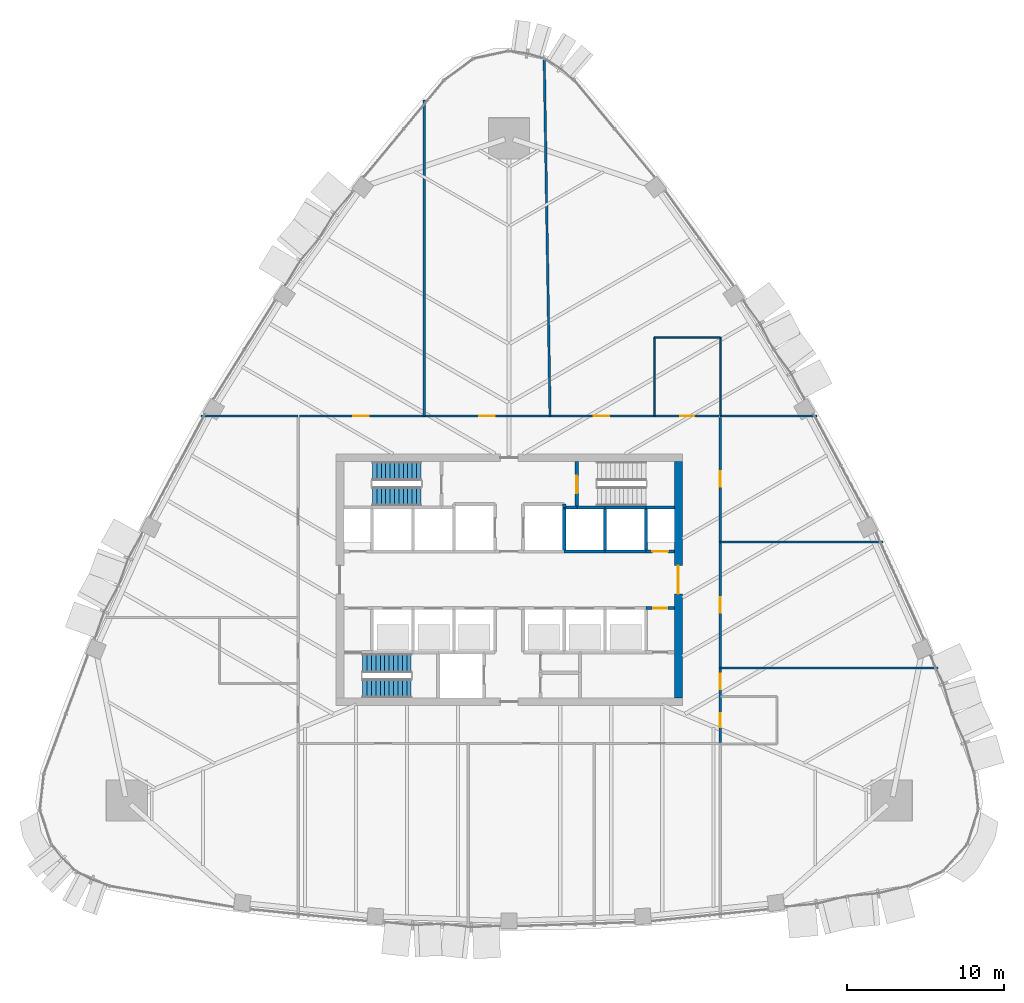
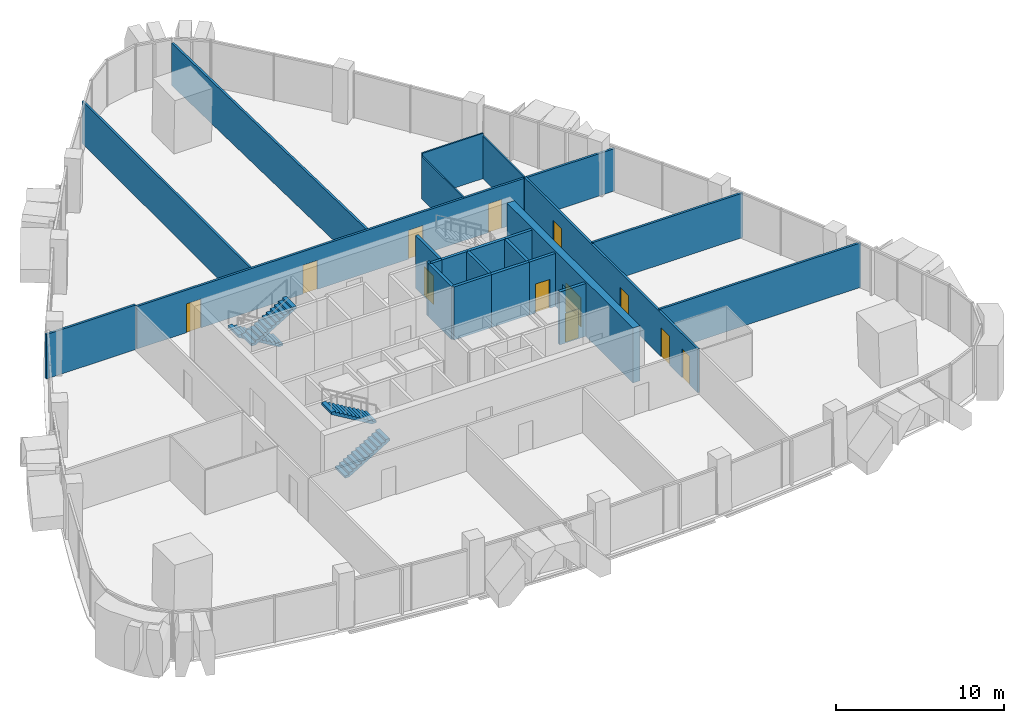
# One storey, part 12 of 17: 25 walls, 12 doors, 4 stair flights, 12 openings, 2 elements without a shape of their own.
"""IFC4 building model written with IfcOpenShell, lengths in metres."""

import ifcopenshell
import ifcopenshell.guid

model = None  # the IFC model being written
_history = None  # IfcOwnerHistory: only IFC2X3 demands one
_inside = {}  # id of a spatial element -> (the spatial element, [elements in it])
_under = {}  # id of a project, library or spatial element -> (it, [spatial elements below it])
_declared = {}  # id of a project -> (the project, [libraries it declares])
_typed = {}  # id of a type object -> (the type object, [elements of that type])
_made_of = {}  # id of a material, layer set ... -> (it, [elements and type objects made of it])


def new_model(schema):
    """Start an empty IFC model of exactly this schema.

    Asked for "IFC4X3", IfcOpenShell would pick the latest addendum, in which some entities
    have other attributes; the version numbers below select the first issue.
    IFC2X3 requires an IfcOwnerHistory on every rooted entity: one is made here for all.
    """
    global model, _history
    if schema == "IFC4X3":
        model = ifcopenshell.file(schema_version=(4, 3, 0, 0))
    else:
        model = ifcopenshell.file(schema=schema)
    _inside.clear()
    _under.clear()
    _declared.clear()
    _typed.clear()
    _made_of.clear()
    _history = None
    if model.schema == "IFC2X3":
        org = make("IfcOrganization", Name="unknown")
        user = make(
            "IfcPersonAndOrganization",
            ThePerson=make("IfcPerson", FamilyName="unknown"),
            TheOrganization=org,
        )
        app = make(
            "IfcApplication",
            ApplicationDeveloper=org,
            Version="unknown",
            ApplicationFullName="unknown",
            ApplicationIdentifier="unknown",
        )
        _history = make(
            "IfcOwnerHistory",
            OwningUser=user,
            OwningApplication=app,
            ChangeAction="ADDED",
            CreationDate=0,
        )
    return model


def make(cls, **values):
    """One entity of the class cls with the attributes given. An attribute that is None is left unset."""
    return model.create_entity(
        cls, **{name: value for name, value in values.items() if value is not None}
    )


def rooted(cls, **values):
    """An entity with a GlobalId (a new one), such as an element, a storey or a relation."""
    return make(cls, GlobalId=ifcopenshell.guid.new(), OwnerHistory=_history, **values)


def si_unit(unit_type, name, prefix=None):
    """IfcSIUnit, for example si_unit("LENGTHUNIT", "METRE", prefix="MILLI")."""
    return make("IfcSIUnit", UnitType=unit_type, Prefix=prefix, Name=name)


def assignment(units):
    """IfcUnitAssignment: the units of a project."""
    return None if units is None else make("IfcUnitAssignment", Units=units)


def point(xyz):
    """IfcCartesianPoint."""
    return None if xyz is None else make("IfcCartesianPoint", Coordinates=xyz)


def direction(xyz):
    """IfcDirection."""
    return None if xyz is None else make("IfcDirection", DirectionRatios=xyz)


def frame(location, z_axis=None, x_axis=None):
    """IfcAxis2Placement3D, a coordinate frame: its origin and axes. An axis left out is left unset."""
    return make(
        "IfcAxis2Placement3D",
        Location=point(location),
        Axis=direction(z_axis),
        RefDirection=direction(x_axis),
    )


def frame_2d(location, x_axis=None):
    """IfcAxis2Placement2D, a coordinate frame in the plane: its origin and x axis."""
    return make(
        "IfcAxis2Placement2D", Location=point(location), RefDirection=direction(x_axis)
    )


def origin():
    """The frame at (0, 0, 0) with its axes left unset."""
    return frame((0.0, 0.0, 0.0))


def place(relative_to, where):
    """IfcLocalPlacement: puts the frame where relative to a parent placement (None: the world)."""
    return make(
        "IfcLocalPlacement", PlacementRelTo=relative_to, RelativePlacement=where
    )


def context(
    kind, dimensions, precision=None, world=None, true_north=None, identifier=None
):
    """IfcGeometricRepresentationContext, for example the 3D "Model" context."""
    return make(
        "IfcGeometricRepresentationContext",
        ContextIdentifier=identifier,
        ContextType=kind,
        CoordinateSpaceDimension=dimensions,
        Precision=precision,
        WorldCoordinateSystem=world,
        TrueNorth=true_north,
    )


def subcontext(parent, identifier, kind, view, scale=None):
    """IfcGeometricRepresentationSubContext, for example "Body" below "Model"."""
    return make(
        "IfcGeometricRepresentationSubContext",
        ContextIdentifier=identifier,
        ContextType=kind,
        ParentContext=parent,
        TargetScale=scale,
        TargetView=view,
    )


def project(units=None, contexts=None):
    """IfcProject with its units and contexts."""
    return rooted(
        "IfcProject",
        Name="project",
        RepresentationContexts=contexts,
        UnitsInContext=assignment(units),
    )


def spatial(cls, under=None, at=None, **own):
    """A site, building, storey or space (cls), placed at a placement, below another one or the project."""
    s = rooted(cls, ObjectPlacement=at, **own)
    if under is not None:
        _under.setdefault(under.id(), (under, []))[1].append(s)
    return s


def polyline(points):
    """IfcPolyline through the points."""
    return make("IfcPolyline", Points=[point(p) for p in points])


def profile(cls, at=None, kind="AREA", **sizes):
    """A parametric profile (cls). Its sizes go by their IFC names, for example OverallWidth=200.0."""
    return make(cls, ProfileType=kind, Position=at, **sizes)


def rectangle(**sizes):
    """IfcRectangleProfileDef."""
    return profile("IfcRectangleProfileDef", **sizes)


def outline(outer, holes=None, kind="AREA"):
    """IfcArbitraryClosedProfileDef: a profile drawn as a closed curve; with holes, ...WithVoids."""
    if holes is None:
        return make("IfcArbitraryClosedProfileDef", ProfileType=kind, OuterCurve=outer)
    return make(
        "IfcArbitraryProfileDefWithVoids",
        ProfileType=kind,
        OuterCurve=outer,
        InnerCurves=holes,
    )


def extrude(swept, where, along, depth):
    """IfcExtrudedAreaSolid: the profile swept, set in the frame where, extruded along a direction by depth."""
    return make(
        "IfcExtrudedAreaSolid",
        SweptArea=swept,
        Position=where,
        ExtrudedDirection=direction(along),
        Depth=depth,
    )


def shape(context_of_items, identifier, shape_type, items):
    """IfcShapeRepresentation: the items that make up one representation, for example the "Body"."""
    return make(
        "IfcShapeRepresentation",
        ContextOfItems=context_of_items,
        RepresentationIdentifier=identifier,
        RepresentationType=shape_type,
        Items=items,
    )


def material(Name=None, Category=None):
    """IfcMaterial."""
    return make("IfcMaterial", Name=Name, Category=Category)


def layer(
    of_material, thickness, ventilated=None, Name=None, Category=None, Priority=None
):
    """IfcMaterialLayer: one layer of a wall or slab, of a material (None: an air gap)."""
    return make(
        "IfcMaterialLayer",
        Material=of_material,
        LayerThickness=thickness,
        IsVentilated=ventilated,
        Name=Name,
        Category=Category,
        Priority=Priority,
    )


def layer_set(layers, Name=None):
    """IfcMaterialLayerSet."""
    return make("IfcMaterialLayerSet", MaterialLayers=layers, LayerSetName=Name)


def made_of(thing, what):
    """Note that an element or type object is made of a material, layer set ...; save() writes the relation."""
    if what is not None:
        _made_of.setdefault(what.id(), (what, []))[1].append(thing)
    return thing


def type_object(cls, material=None, **own):
    """A type object (cls), such as IfcWallType, which elements share."""
    return made_of(rooted(cls, **own), material)


def element(
    cls,
    number,
    at=None,
    inside=None,
    cuts=None,
    type_object=None,
    material=None,
    context=None,
    identifier="Body",
    shape_type=None,
    held_by="IfcProductDefinitionShape",
    body=None,
    shapes=None,
    **own,
):
    """One element of the class cls, such as IfcWall. Its Tag is "e" and its number.

    at: its placement. inside: the storey or other place that contains it. cuts: it is an
    opening in that element (IfcRelVoidsElement). A single representation is given by context,
    identifier, shape_type and body (its items); several are given by shapes. held_by: the class
    of the entity that holds the representations. save() writes the other relations.
    """
    e = rooted(cls, Tag="e%d" % number, ObjectPlacement=at, **own)
    if body is not None:
        shapes = [shape(context, identifier, shape_type, body)]
    if shapes is not None:
        e.Representation = make(held_by, Representations=shapes)
    if inside is not None:
        _inside.setdefault(inside.id(), (inside, []))[1].append(e)
    if cuts is not None:
        rooted(
            "IfcRelVoidsElement", RelatingBuildingElement=cuts, RelatedOpeningElement=e
        )
    if type_object is not None:
        _typed.setdefault(type_object.id(), (type_object, []))[1].append(e)
    return made_of(e, material)


def fill(opening, filler):
    """IfcRelFillsElement: the door or window that sits in an opening."""
    return rooted(
        "IfcRelFillsElement",
        RelatingOpeningElement=opening,
        RelatedBuildingElement=filler,
    )


def aggregate(whole, parts):
    """IfcRelAggregates: a whole, such as a stair, and the parts it consists of."""
    return rooted("IfcRelAggregates", RelatingObject=whole, RelatedObjects=parts)


def save(model, path):
    """Write the relations noted so far, then the file.

    IfcRelAggregates (storeys below a building ...), IfcRelContainedInSpatialStructure (elements
    in a storey), IfcRelDefinesByType, IfcRelAssociatesMaterial and IfcRelDeclares: one each for
    every whole, place, type object, material and project.
    """
    for whole, parts in _under.values():
        aggregate(whole, parts)
    for where, things in _inside.values():
        rooted(
            "IfcRelContainedInSpatialStructure",
            RelatedElements=things,
            RelatingStructure=where,
        )
    for kind, things in _typed.values():
        rooted("IfcRelDefinesByType", RelatedObjects=things, RelatingType=kind)
    for what, things in _made_of.values():
        rooted("IfcRelAssociatesMaterial", RelatedObjects=things, RelatingMaterial=what)
    for by, libraries in _declared.values():
        rooted("IfcRelDeclares", RelatingContext=by, RelatedDefinitions=libraries)
    model.write(path)


model = new_model("IFC4")

# Units and contexts
model_context = context("Model", 3, precision=1e-05, world=origin(), true_north=direction((0.0, 1.0)))
body_context = subcontext(model_context, "Body", "Model", "MODEL_VIEW")
ifc_project = project(units=[si_unit("LENGTHUNIT", "METRE"), si_unit("AREAUNIT", "SQUARE_METRE"), si_unit("VOLUMEUNIT", "CUBIC_METRE"), si_unit("PLANEANGLEUNIT", "RADIAN"), si_unit("MASSUNIT", "GRAM", prefix="KILO")], contexts=[model_context])

# Site, building, storey
site_placement = place(None, origin())
site = spatial("IfcSite", under=ifc_project, at=site_placement, CompositionType="ELEMENT")
building_placement = place(site_placement, origin())
building = spatial("IfcBuilding", under=site, at=building_placement, Name="Sierra Prisma Convention Tower", CompositionType="ELEMENT")
storey_placement = place(building_placement, frame((0.0, 0.0, 153.800048828125)))
storey = spatial("IfcBuildingStorey", under=building, at=storey_placement, Name="L33", CompositionType="ELEMENT", Elevation=153.800048828125)

# Walls
ifc_material_1 = material(Name="Gypsum board partition", Category="gypsum")
ifc_layer_1 = layer(ifc_material_1, 0.10009765625)
ifc_layer_set_1 = layer_set([ifc_layer_1], Name="Bathroom partition 100")
wall_type_1 = type_object("IfcWallType", Name="Bathroom partition 100", PredefinedType="PARTITIONING", material=ifc_layer_set_1)
wall_1_placement = place(storey_placement, frame((9.219970703125, 10.429931640625, 0.0), z_axis=(0.0, 0.0, 1.0), x_axis=(0.0, 1.0, 0.0)))
element("IfcWall", 1, at=wall_1_placement, inside=storey, type_object=wall_type_1, Name="Partition L33 bath 3", PredefinedType="PARTITIONING", context=body_context, shape_type="SweptSolid", body=[
    extrude(rectangle(XDim=4.969970703125, YDim=0.10009765625, at=frame_2d((2.48486328125, 0.0))), origin(), (0.0, 0.0, 1.0), 3.096923828125),
])
wall_2_placement = place(storey_placement, frame((9.219970703125, 15.39990234375, 0.0), z_axis=(0.0, 0.0, 1.0), x_axis=(1.0, 0.0, 0.0)))
element("IfcWall", 2, at=wall_2_placement, inside=storey, type_object=wall_type_1, Name="Partition L33 bath 4", PredefinedType="PARTITIONING", context=body_context, shape_type="SweptSolid", body=[
    extrude(rectangle(XDim=4.199951171875, YDim=0.10009765625, at=frame_2d((2.10009765625, 0.0))), origin(), (0.0, 0.0, 1.0), 3.300048828125),
])
wall_3_placement = place(storey_placement, frame((13.419921875, 15.39990234375, 0.0), z_axis=(0.0, 0.0, 1.0), x_axis=(0.0, -1.0, 0.0)))
element("IfcWall", 3, at=wall_3_placement, inside=storey, type_object=wall_type_1, Name="Partition L33 bath 5", PredefinedType="PARTITIONING", context=body_context, shape_type="SweptSolid", body=[
    extrude(rectangle(XDim=4.969970703125, YDim=0.10009765625, at=frame_2d((2.48486328125, 0.0))), origin(), (0.0, 0.0, 1.0), 3.096923828125),
])
ifc_material_2 = material(Name="Concrete C30/37", Category="concrete")
ifc_layer_2 = layer(ifc_material_2, 0.199951171875)
ifc_layer_set_2 = layer_set([ifc_layer_2], Name="Core wall RC 200 C30/37")
wall_type_2 = type_object("IfcWallType", Name="Core wall RC 200 C30/37", PredefinedType="SOLIDWALL", material=ifc_layer_set_2)
wall_4_placement = place(storey_placement, frame((3.5, 4.60009765625, 0.0), z_axis=(0.0, 0.0, 1.0), x_axis=(0.0, 1.0, 0.0)))
element("IfcWall", 4, at=wall_4_placement, inside=storey, type_object=wall_type_2, Name="Core wall L33 38", PredefinedType="SOLIDWALL", context=body_context, shape_type="SweptSolid", body=[
    extrude(rectangle(XDim=0.199951171875, YDim=0.199951171875, at=frame_2d((0.10009765625, 0.0))), origin(), (0.0, 0.0, 1.0), 3.849853515625),
])
wall_5_placement = place(storey_placement, frame((6.10009765625, 1.800048828125, 0.0), z_axis=(0.0, 0.0, 1.0), x_axis=(-1.0, 0.0, 0.0)))
element("IfcWall", 5, at=wall_5_placement, inside=storey, type_object=wall_type_2, Name="Core wall L33 48", PredefinedType="SOLIDWALL", context=body_context, shape_type="SweptSolid", body=[
    extrude(rectangle(XDim=2.60009765625, YDim=0.199951171875, at=frame_2d((1.300048828125, 0.0))), origin(), (0.0, 0.0, 1.0), 3.849853515625),
])
wall_6_placement = place(storey_placement, frame((3.5, 1.800048828125, 0.0), z_axis=(0.0, 0.0, 1.0), x_axis=(0.0, 1.0, 0.0)))
element("IfcWall", 6, at=wall_6_placement, inside=storey, type_object=wall_type_2, Name="Core wall L33 49", PredefinedType="SOLIDWALL", context=body_context, shape_type="SweptSolid", body=[
    extrude(rectangle(XDim=2.800048828125, YDim=0.199951171875, at=frame_2d((1.39990234375, 0.0))), origin(), (0.0, 0.0, 1.0), 3.849853515625),
])
wall_7_placement = place(storey_placement, frame((4.300048828125, 4.60009765625, 0.0), z_axis=(0.0, 0.0, 1.0), x_axis=(-1.0, 0.0, 0.0)))
element("IfcWall", 7, at=wall_7_placement, inside=storey, type_object=wall_type_2, Name="Core wall L33 50", PredefinedType="SOLIDWALL", context=body_context, shape_type="SweptSolid", body=[
    extrude(rectangle(XDim=0.800048828125, YDim=0.199951171875, at=frame_2d((0.39990234375, 0.0))), origin(), (0.0, 0.0, 1.0), 3.849853515625),
])
wall_8_placement = place(storey_placement, frame((6.10009765625, 4.60009765625, 0.0), z_axis=(0.0, 0.0, 1.0), x_axis=(-1.0, 0.0, 0.0)))
element("IfcWall", 8, at=wall_8_placement, inside=storey, type_object=wall_type_2, Name="Core wall L33 51", PredefinedType="SOLIDWALL", context=body_context, shape_type="SweptSolid", body=[
    extrude(rectangle(XDim=1.800048828125, YDim=0.199951171875, at=frame_2d((0.89990234375, 0.0))), origin(), (0.0, 0.0, 1.0), 3.849853515625),
])

# Wall, opening, door
wall_9_placement = place(storey_placement, frame((4.300048828125, 7.5, 0.0), z_axis=(0.0, 0.0, 1.0), x_axis=(0.0, -1.0, 0.0)))
wall_9 = element("IfcWall", 9, at=wall_9_placement, inside=storey, type_object=wall_type_2, Name="Core wall L33 52", PredefinedType="SOLIDWALL", context=body_context, shape_type="SweptSolid", body=[
    extrude(rectangle(XDim=2.89990234375, YDim=0.199951171875, at=frame_2d((1.449951171875, 0.0))), origin(), (0.0, 0.0, 1.0), 3.849853515625),
])
opening_1_placement = place(wall_9_placement, frame((0.89990234375, 0.0, 0.0)))
opening_1 = element("IfcOpeningElement", 10, at=opening_1_placement, cuts=wall_9, Name="Opening L33-D017", PredefinedType="OPENING", context=body_context, shape_type="SweptSolid", body=[
    extrude(rectangle(XDim=1.10009765625, YDim=2.10009765625, at=frame_2d((0.550048828125, 1.050048828125))), frame((0.0, 0.10009765625, 0.0), z_axis=(0.0, -1.0, 0.0), x_axis=(1.0, 0.0, 0.0)), (0.0, 0.0, 1.0), 0.199951171875),
])
ifc_material_3 = material(Name="Steel fire door leaf", Category="steel")
door_type_1 = type_object("IfcDoorType", Name="Door 1100x2100 FD90S", OperationType="SINGLE_SWING_LEFT", PredefinedType="DOOR", material=ifc_material_3)
door_1_placement = place(opening_1_placement, origin())
door_1 = element("IfcDoor", 11, at=door_1_placement, inside=storey, type_object=door_type_1, Name="Door L33 31", OperationType="SINGLE_SWING_RIGHT", OverallHeight=2.10009765625, OverallWidth=1.10009765625, PredefinedType="DOOR", context=body_context, shape_type="SweptSolid", body=[
    extrude(rectangle(XDim=1.10009765625, YDim=2.10009765625, at=frame_2d((0.550048828125, 1.050048828125))), frame((0.0, 0.02490234375, 0.0), z_axis=(0.0, -1.0, 0.0), x_axis=(1.0, 0.0, 0.0)), (0.0, 0.0, 1.0), 0.050048828125),
])
fill(opening_1, door_1)

# Walls
wall_10_placement = place(storey_placement, frame((8.699951171875, 1.800048828125, 0.0), z_axis=(0.0, 0.0, 1.0), x_axis=(-1.0, 0.0, 0.0)))
element("IfcWall", 12, at=wall_10_placement, inside=storey, type_object=wall_type_2, Name="Core wall L33 59", PredefinedType="SOLIDWALL", context=body_context, shape_type="SweptSolid", body=[
    extrude(rectangle(XDim=2.599853515625, YDim=0.199951171875, at=frame_2d((1.2998046875, 0.0))), origin(), (0.0, 0.0, 1.0), 3.849853515625),
])
wall_11_placement = place(storey_placement, frame((6.10009765625, 1.800048828125, 0.0), z_axis=(0.0, 0.0, 1.0), x_axis=(0.0, 1.0, 0.0)))
element("IfcWall", 13, at=wall_11_placement, inside=storey, type_object=wall_type_2, Name="Core wall L33 60", PredefinedType="SOLIDWALL", context=body_context, shape_type="SweptSolid", body=[
    extrude(rectangle(XDim=2.800048828125, YDim=0.199951171875, at=frame_2d((1.39990234375, 0.0))), origin(), (0.0, 0.0, 1.0), 3.849853515625),
])
wall_12_placement = place(storey_placement, frame((8.699951171875, 4.60009765625, 0.0), z_axis=(0.0, 0.0, 1.0), x_axis=(-1.0, 0.0, 0.0)))
element("IfcWall", 14, at=wall_12_placement, inside=storey, type_object=wall_type_2, Name="Core wall L33 61", PredefinedType="SOLIDWALL", context=body_context, shape_type="SweptSolid", body=[
    extrude(rectangle(XDim=2.599853515625, YDim=0.199951171875, at=frame_2d((1.2998046875, 0.0))), origin(), (0.0, 0.0, 1.0), 3.849853515625),
])

# Wall, opening, door
wall_13_placement = place(storey_placement, frame((8.699951171875, -1.800048828125, 0.0), z_axis=(0.0, 0.0, 1.0), x_axis=(1.0, 0.0, 0.0)))
wall_13 = element("IfcWall", 15, at=wall_13_placement, inside=storey, type_object=wall_type_2, Name="Core wall L33 64", PredefinedType="SOLIDWALL", context=body_context, shape_type="SweptSolid", body=[
    extrude(rectangle(XDim=1.800048828125, YDim=0.199951171875, at=frame_2d((0.89990234375, 0.0))), origin(), (0.0, 0.0, 1.0), 3.849853515625),
])
opening_2_placement = place(wall_13_placement, frame((0.449951171875, 0.0, 0.0)))
opening_2 = element("IfcOpeningElement", 16, at=opening_2_placement, cuts=wall_13, Name="Opening L33-D019", PredefinedType="OPENING", context=body_context, shape_type="SweptSolid", body=[
    extrude(rectangle(XDim=0.89990234375, YDim=2.10009765625, at=frame_2d((0.449951171875, 1.050048828125))), frame((0.0, 0.10009765625, 0.0), z_axis=(0.0, -1.0, 0.0), x_axis=(1.0, 0.0, 0.0)), (0.0, 0.0, 1.0), 0.199951171875),
])
ifc_material_4 = material(Name="Steel fire door leaf", Category="steel")
door_type_2 = type_object("IfcDoorType", Name="Door 900x2100 FD30S", OperationType="SINGLE_SWING_LEFT", PredefinedType="DOOR", material=ifc_material_4)
door_2_placement = place(opening_2_placement, origin())
door_2 = element("IfcDoor", 17, at=door_2_placement, inside=storey, type_object=door_type_2, Name="Door L33 33", OperationType="SINGLE_SWING_LEFT", OverallHeight=2.10009765625, OverallWidth=0.89990234375, PredefinedType="DOOR", context=body_context, shape_type="SweptSolid", body=[
    extrude(rectangle(XDim=0.89990234375, YDim=2.10009765625, at=frame_2d((0.449951171875, 1.050048828125))), frame((0.0, 0.02490234375, 0.0), z_axis=(0.0, -1.0, 0.0), x_axis=(1.0, 0.0, 0.0)), (0.0, 0.0, 1.0), 0.050048828125),
])
fill(opening_2, door_2)

wall_14_placement = place(storey_placement, frame((10.5, 1.800048828125, 0.0), z_axis=(0.0, 0.0, 1.0), x_axis=(-1.0, 0.0, 0.0)))
wall_14 = element("IfcWall", 18, at=wall_14_placement, inside=storey, type_object=wall_type_2, Name="Core wall L33 65", PredefinedType="SOLIDWALL", context=body_context, shape_type="SweptSolid", body=[
    extrude(rectangle(XDim=1.800048828125, YDim=0.199951171875, at=frame_2d((0.89990234375, 0.0))), origin(), (0.0, 0.0, 1.0), 3.849853515625),
])
opening_3_placement = place(wall_14_placement, frame((0.39990234375, 0.0, 0.0)))
opening_3 = element("IfcOpeningElement", 19, at=opening_3_placement, cuts=wall_14, Name="Opening L33-D014", PredefinedType="OPENING", context=body_context, shape_type="SweptSolid", body=[
    extrude(rectangle(XDim=1.0, YDim=2.10009765625, at=frame_2d((0.5, 1.050048828125))), frame((0.0, 0.10009765625, 0.0), z_axis=(0.0, -1.0, 0.0), x_axis=(1.0, 0.0, 0.0)), (0.0, 0.0, 1.0), 0.199951171875),
])
ifc_material_5 = material(Name="Steel fire door leaf", Category="steel")
door_type_3 = type_object("IfcDoorType", Name="Door 1000x2100 FD60S", OperationType="SINGLE_SWING_LEFT", PredefinedType="DOOR", material=ifc_material_5)
door_3_placement = place(opening_3_placement, origin())
door_3 = element("IfcDoor", 20, at=door_3_placement, inside=storey, type_object=door_type_3, Name="Door L33 28", OperationType="SINGLE_SWING_RIGHT", OverallHeight=2.10009765625, OverallWidth=1.0, PredefinedType="DOOR", context=body_context, shape_type="SweptSolid", body=[
    extrude(rectangle(XDim=1.0, YDim=2.10009765625, at=frame_2d((0.5, 1.050048828125))), frame((0.0, 0.02490234375, 0.0), z_axis=(0.0, -1.0, 0.0), x_axis=(1.0, 0.0, 0.0)), (0.0, 0.0, 1.0), 0.050048828125),
])
fill(opening_3, door_3)

# Walls
wall_15_placement = place(storey_placement, frame((8.699951171875, 4.60009765625, 0.0), z_axis=(0.0, 0.0, 1.0), x_axis=(0.0, -1.0, 0.0)))
element("IfcWall", 21, at=wall_15_placement, inside=storey, type_object=wall_type_2, Name="Core wall L33 66", PredefinedType="SOLIDWALL", context=body_context, shape_type="SweptSolid", body=[
    extrude(rectangle(XDim=2.800048828125, YDim=0.199951171875, at=frame_2d((1.39990234375, 0.0))), origin(), (0.0, 0.0, 1.0), 3.849853515625),
])
wall_16_placement = place(storey_placement, frame((10.5, 4.60009765625, 0.0), z_axis=(0.0, 0.0, 1.0), x_axis=(-1.0, 0.0, 0.0)))
element("IfcWall", 22, at=wall_16_placement, inside=storey, type_object=wall_type_2, Name="Core wall L33 67", PredefinedType="SOLIDWALL", context=body_context, shape_type="SweptSolid", body=[
    extrude(rectangle(XDim=1.800048828125, YDim=0.199951171875, at=frame_2d((0.89990234375, 0.0))), origin(), (0.0, 0.0, 1.0), 3.849853515625),
])

# Wall, opening, door
ifc_material_6 = material(Name="Concrete C60/75", Category="concrete")
ifc_layer_3 = layer(ifc_material_6, 0.5)
ifc_layer_set_3 = layer_set([ifc_layer_3], Name="Core wall RC 500 C60/75")
wall_type_3 = type_object("IfcWallType", Name="Core wall RC 500 C60/75", PredefinedType="SHEAR", material=ifc_layer_set_3)
wall_17_placement = place(storey_placement, frame((10.75, -7.5, 0.0), z_axis=(0.0, 0.0, 1.0), x_axis=(0.0, 1.0, 0.0)))
wall_17 = element("IfcWall", 23, at=wall_17_placement, inside=storey, type_object=wall_type_3, Name="Core wall E L33", PredefinedType="SHEAR", context=body_context, shape_type="SweptSolid", body=[
    extrude(rectangle(XDim=15.0, YDim=0.5, at=frame_2d((7.5, 0.0))), origin(), (0.0, 0.0, 1.0), 4.0),
])
opening_4_placement = place(wall_17_placement, frame((6.60009765625, 0.0, 0.0)))
opening_4 = element("IfcOpeningElement", 24, at=opening_4_placement, cuts=wall_17, Name="Opening L33-D036", PredefinedType="OPENING", context=body_context, shape_type="SweptSolid", body=[
    extrude(rectangle(XDim=1.800048828125, YDim=2.10009765625, at=frame_2d((0.89990234375, 1.050048828125))), frame((0.0, 0.25, 0.0), z_axis=(0.0, -1.0, 0.0), x_axis=(1.0, 0.0, 0.0)), (0.0, 0.0, 1.0), 0.5),
])
ifc_material_7 = material(Name="Steel fire door leaf", Category="steel")
door_type_4 = type_object("IfcDoorType", Name="Door 1800x2100 FD60S", OperationType="DOUBLE_DOOR_SINGLE_SWING", PredefinedType="DOOR", material=ifc_material_7)
door_4_placement = place(opening_4_placement, origin())
door_4 = element("IfcDoor", 25, at=door_4_placement, inside=storey, type_object=door_type_4, Name="Door L33 37", OperationType="DOUBLE_DOOR_SINGLE_SWING", OverallHeight=2.10009765625, OverallWidth=1.800048828125, PredefinedType="DOOR", context=body_context, shape_type="SweptSolid", body=[
    extrude(rectangle(XDim=1.800048828125, YDim=2.10009765625, at=frame_2d((0.89990234375, 1.050048828125))), frame((0.0, 0.02490234375, 0.0), z_axis=(0.0, -1.0, 0.0), x_axis=(1.0, 0.0, 0.0)), (0.0, 0.0, 1.0), 0.050048828125),
])
fill(opening_4, door_4)

# Wall, openings, doors
ifc_material_8 = material(Name="Gypsum board partition", Category="gypsum")
ifc_layer_4 = layer(ifc_material_8, 0.14990234375)
ifc_layer_set_4 = layer_set([ifc_layer_4], Name="Corridor wall 150 gypsum EI 60")
wall_type_4 = type_object("IfcWallType", Name="Corridor wall 150 gypsum EI 60", PredefinedType="PARTITIONING", material=ifc_layer_set_4)
wall_18_placement = place(storey_placement, frame((13.320068359375, 10.39990234375, 0.0), z_axis=(0.0, 0.0, 1.0), x_axis=(-1.0, 0.0, 0.0)))
wall_18 = element("IfcWall", 26, at=wall_18_placement, inside=storey, type_object=wall_type_4, Name="Partition L33 corr 3", PredefinedType="PARTITIONING", context=body_context, shape_type="SweptSolid", body=[
    extrude(rectangle(XDim=26.64013671875, YDim=0.14990234375, at=frame_2d((13.320068359375, 0.0))), origin(), (0.0, 0.0, 1.0), 3.096923828125),
])
opening_5_placement = place(wall_18_placement, frame((1.550048828125, 0.0, 0.0)))
opening_5 = element("IfcOpeningElement", 27, at=opening_5_placement, cuts=wall_18, Name="Opening L33-D023", PredefinedType="OPENING", context=body_context, shape_type="SweptSolid", body=[
    extrude(rectangle(XDim=0.89990234375, YDim=2.10009765625, at=frame_2d((0.449951171875, 1.050048828125))), frame((0.0, 0.074951171875, 0.0), z_axis=(0.0, -1.0, 0.0), x_axis=(1.0, 0.0, 0.0)), (0.0, 0.0, 1.0), 0.14990234375),
])
opening_6_placement = place(wall_18_placement, frame((6.9599609375, 0.0, 0.0)))
opening_6 = element("IfcOpeningElement", 28, at=opening_6_placement, cuts=wall_18, Name="Opening L33-D024", PredefinedType="OPENING", context=body_context, shape_type="SweptSolid", body=[
    extrude(rectangle(XDim=1.0, YDim=2.10009765625, at=frame_2d((0.5, 1.050048828125))), frame((0.0, 0.074951171875, 0.0), z_axis=(0.0, -1.0, 0.0), x_axis=(1.0, 0.0, 0.0)), (0.0, 0.0, 1.0), 0.14990234375),
])
opening_7_placement = place(wall_18_placement, frame((14.219970703125, 0.0, 0.0)))
opening_7 = element("IfcOpeningElement", 29, at=opening_7_placement, cuts=wall_18, Name="Opening L33-D025", PredefinedType="OPENING", context=body_context, shape_type="SweptSolid", body=[
    extrude(rectangle(XDim=1.0, YDim=2.10009765625, at=frame_2d((0.5, 1.050048828125))), frame((0.0, 0.074951171875, 0.0), z_axis=(0.0, -1.0, 0.0), x_axis=(1.0, 0.0, 0.0)), (0.0, 0.0, 1.0), 0.14990234375),
])
opening_8_placement = place(wall_18_placement, frame((22.22998046875, 0.0, 0.0)))
opening_8 = element("IfcOpeningElement", 30, at=opening_8_placement, cuts=wall_18, Name="Opening L33-D026", PredefinedType="OPENING", context=body_context, shape_type="SweptSolid", body=[
    extrude(rectangle(XDim=1.0, YDim=2.10009765625, at=frame_2d((0.5, 1.050048828125))), frame((0.0, 0.074951171875, 0.0), z_axis=(0.0, -1.0, 0.0), x_axis=(1.0, 0.0, 0.0)), (0.0, 0.0, 1.0), 0.14990234375),
])
ifc_material_9 = material(Name="Steel fire door leaf", Category="steel")
door_type_5 = type_object("IfcDoorType", Name="Door 1000x2100 FD30S", OperationType="SINGLE_SWING_LEFT", PredefinedType="DOOR", material=ifc_material_9)
door_5_placement = place(opening_6_placement, origin())
door_5 = element("IfcDoor", 31, at=door_5_placement, inside=storey, type_object=door_type_5, Name="Door L33 3", OperationType="SINGLE_SWING_LEFT", OverallHeight=2.10009765625, OverallWidth=1.0, PredefinedType="DOOR", context=body_context, shape_type="SweptSolid", body=[
    extrude(rectangle(XDim=1.0, YDim=2.10009765625, at=frame_2d((0.5, 1.050048828125))), frame((0.0, 0.02490234375, 0.0), z_axis=(0.0, -1.0, 0.0), x_axis=(1.0, 0.0, 0.0)), (0.0, 0.0, 1.0), 0.050048828125),
])
fill(opening_6, door_5)
door_6_placement = place(opening_7_placement, origin())
door_6 = element("IfcDoor", 32, at=door_6_placement, inside=storey, type_object=door_type_5, Name="Door L33 4", OperationType="SINGLE_SWING_LEFT", OverallHeight=2.10009765625, OverallWidth=1.0, PredefinedType="DOOR", context=body_context, shape_type="SweptSolid", body=[
    extrude(rectangle(XDim=1.0, YDim=2.10009765625, at=frame_2d((0.5, 1.050048828125))), frame((0.0, 0.02490234375, 0.0), z_axis=(0.0, -1.0, 0.0), x_axis=(1.0, 0.0, 0.0)), (0.0, 0.0, 1.0), 0.050048828125),
])
fill(opening_7, door_6)
door_7_placement = place(opening_8_placement, origin())
door_7 = element("IfcDoor", 33, at=door_7_placement, inside=storey, type_object=door_type_5, Name="Door L33 5", OperationType="SINGLE_SWING_RIGHT", OverallHeight=2.10009765625, OverallWidth=1.0, PredefinedType="DOOR", context=body_context, shape_type="SweptSolid", body=[
    extrude(rectangle(XDim=1.0, YDim=2.10009765625, at=frame_2d((0.5, 1.050048828125))), frame((0.0, 0.02490234375, 0.0), z_axis=(0.0, -1.0, 0.0), x_axis=(1.0, 0.0, 0.0)), (0.0, 0.0, 1.0), 0.050048828125),
])
fill(opening_8, door_7)
door_8_placement = place(opening_5_placement, origin())
door_8 = element("IfcDoor", 34, at=door_8_placement, inside=storey, type_object=door_type_2, Name="Door L33 2", OperationType="SINGLE_SWING_RIGHT", OverallHeight=2.10009765625, OverallWidth=0.89990234375, PredefinedType="DOOR", context=body_context, shape_type="SweptSolid", body=[
    extrude(rectangle(XDim=0.89990234375, YDim=2.10009765625, at=frame_2d((0.449951171875, 1.050048828125))), frame((0.0, 0.02490234375, 0.0), z_axis=(0.0, -1.0, 0.0), x_axis=(1.0, 0.0, 0.0)), (0.0, 0.0, 1.0), 0.050048828125),
])
fill(opening_5, door_8)

wall_19_placement = place(storey_placement, frame((13.39990234375, -10.320068359375, 0.0), z_axis=(0.0, 0.0, 1.0), x_axis=(0.0, 1.0, 0.0)))
wall_19 = element("IfcWall", 35, at=wall_19_placement, inside=storey, type_object=wall_type_4, Name="Partition L33 corr 4", PredefinedType="PARTITIONING", context=body_context, shape_type="SweptSolid", body=[
    extrude(rectangle(XDim=20.64013671875, YDim=0.14990234375, at=frame_2d((10.320068359375, 0.0))), origin(), (0.0, 0.0, 1.0), 3.166015625),
])
opening_9_placement = place(wall_19_placement, frame((16.219970703125, 0.0, 0.0)))
opening_9 = element("IfcOpeningElement", 36, at=opening_9_placement, cuts=wall_19, Name="Opening L33-D022", PredefinedType="OPENING", context=body_context, shape_type="SweptSolid", body=[
    extrude(rectangle(XDim=1.0, YDim=2.10009765625, at=frame_2d((0.5, 1.050048828125))), frame((0.0, 0.074951171875, 0.0), z_axis=(0.0, -1.0, 0.0), x_axis=(1.0, 0.0, 0.0)), (0.0, 0.0, 1.0), 0.14990234375),
])
opening_10_placement = place(wall_19_placement, frame((0.949951171875, 0.0, 0.0)))
opening_10 = element("IfcOpeningElement", 37, at=opening_10_placement, cuts=wall_19, Name="Opening L33-D033", PredefinedType="OPENING", context=body_context, shape_type="SweptSolid", body=[
    extrude(rectangle(XDim=0.89990234375, YDim=2.10009765625, at=frame_2d((0.449951171875, 1.050048828125))), frame((0.0, 0.074951171875, 0.0), z_axis=(0.0, -1.0, 0.0), x_axis=(1.0, 0.0, 0.0)), (0.0, 0.0, 1.0), 0.14990234375),
])
opening_11_placement = place(wall_19_placement, frame((3.360107421875, 0.0, 0.0)))
opening_11 = element("IfcOpeningElement", 38, at=opening_11_placement, cuts=wall_19, Name="Opening L33-D034", PredefinedType="OPENING", context=body_context, shape_type="SweptSolid", body=[
    extrude(rectangle(XDim=1.0, YDim=2.10009765625, at=frame_2d((0.5, 1.050048828125))), frame((0.0, 0.074951171875, 0.0), z_axis=(0.0, -1.0, 0.0), x_axis=(1.0, 0.0, 0.0)), (0.0, 0.0, 1.0), 0.14990234375),
])
opening_12_placement = place(wall_19_placement, frame((8.219970703125, 0.0, 0.0)))
opening_12 = element("IfcOpeningElement", 39, at=opening_12_placement, cuts=wall_19, Name="Opening L33-D035", PredefinedType="OPENING", context=body_context, shape_type="SweptSolid", body=[
    extrude(rectangle(XDim=1.0, YDim=2.10009765625, at=frame_2d((0.5, 1.050048828125))), frame((0.0, 0.074951171875, 0.0), z_axis=(0.0, -1.0, 0.0), x_axis=(1.0, 0.0, 0.0)), (0.0, 0.0, 1.0), 0.14990234375),
])
door_9_placement = place(opening_9_placement, origin())
door_9 = element("IfcDoor", 40, at=door_9_placement, inside=storey, type_object=door_type_5, Name="Door L33 1", OperationType="SINGLE_SWING_RIGHT", OverallHeight=2.10009765625, OverallWidth=1.0, PredefinedType="DOOR", context=body_context, shape_type="SweptSolid", body=[
    extrude(rectangle(XDim=1.0, YDim=2.10009765625, at=frame_2d((0.5, 1.050048828125))), frame((0.0, 0.02490234375, 0.0), z_axis=(0.0, -1.0, 0.0), x_axis=(1.0, 0.0, 0.0)), (0.0, 0.0, 1.0), 0.050048828125),
])
fill(opening_9, door_9)
door_10_placement = place(opening_11_placement, origin())
door_10 = element("IfcDoor", 41, at=door_10_placement, inside=storey, type_object=door_type_5, Name="Door L33 13", OperationType="SINGLE_SWING_RIGHT", OverallHeight=2.10009765625, OverallWidth=1.0, PredefinedType="DOOR", context=body_context, shape_type="SweptSolid", body=[
    extrude(rectangle(XDim=1.0, YDim=2.10009765625, at=frame_2d((0.5, 1.050048828125))), frame((0.0, 0.02490234375, 0.0), z_axis=(0.0, -1.0, 0.0), x_axis=(1.0, 0.0, 0.0)), (0.0, 0.0, 1.0), 0.050048828125),
])
fill(opening_11, door_10)
door_11_placement = place(opening_12_placement, origin())
door_11 = element("IfcDoor", 42, at=door_11_placement, inside=storey, type_object=door_type_5, Name="Door L33 14", OperationType="SINGLE_SWING_RIGHT", OverallHeight=2.10009765625, OverallWidth=1.0, PredefinedType="DOOR", context=body_context, shape_type="SweptSolid", body=[
    extrude(rectangle(XDim=1.0, YDim=2.10009765625, at=frame_2d((0.5, 1.050048828125))), frame((0.0, 0.02490234375, 0.0), z_axis=(0.0, -1.0, 0.0), x_axis=(1.0, 0.0, 0.0)), (0.0, 0.0, 1.0), 0.050048828125),
])
fill(opening_12, door_11)
door_12_placement = place(opening_10_placement, origin())
door_12 = element("IfcDoor", 43, at=door_12_placement, inside=storey, type_object=door_type_2, Name="Door L33 12", OperationType="SINGLE_SWING_LEFT", OverallHeight=2.10009765625, OverallWidth=0.89990234375, PredefinedType="DOOR", context=body_context, shape_type="SweptSolid", body=[
    extrude(rectangle(XDim=0.89990234375, YDim=2.10009765625, at=frame_2d((0.449951171875, 1.050048828125))), frame((0.0, 0.02490234375, 0.0), z_axis=(0.0, -1.0, 0.0), x_axis=(1.0, 0.0, 0.0)), (0.0, 0.0, 1.0), 0.050048828125),
])
fill(opening_10, door_12)

# Walls
ifc_material_10 = material(Name="Gypsum board partition", Category="gypsum")
ifc_layer_5 = layer(ifc_material_10, 0.14990234375)
ifc_layer_set_5 = layer_set([ifc_layer_5], Name="Party wall 150 gypsum")
wall_type_5 = type_object("IfcWallType", Name="Party wall 150 gypsum", PredefinedType="PARTITIONING", material=ifc_layer_set_5)
wall_20_placement = place(storey_placement, frame((-13.39990234375, 10.39990234375, 0.0), z_axis=(0.0, 0.0, 1.0), x_axis=(-1.0, 0.0, 0.0)))
element("IfcWall", 44, at=wall_20_placement, inside=storey, type_object=wall_type_5, Name="Partition L33 party 2", PredefinedType="PARTITIONING", context=body_context, shape_type="SweptSolid", body=[
    extrude(rectangle(XDim=6.160400390625, YDim=0.14990234375, at=frame_2d((3.080078125, 0.0))), origin(), (0.0, 0.0, 1.0), 3.23388671875),
])
wall_21_placement = place(storey_placement, frame((-5.39990234375, 10.39990234375, 0.0), z_axis=(0.0, 0.0, 1.0), x_axis=(0.0, 1.0, 0.0)))
element("IfcWall", 45, at=wall_21_placement, inside=storey, type_object=wall_type_5, Name="Partition L33 party 4", PredefinedType="PARTITIONING", context=body_context, shape_type="SweptSolid", body=[
    extrude(rectangle(XDim=20.076171875, YDim=0.14990234375, at=frame_2d((10.0380859375, 0.0))), origin(), (0.0, 0.0, 1.0), 3.083984375),
])
wall_22_placement = place(storey_placement, frame((2.60009765625, 10.39990234375, 0.0), z_axis=(0.0, 0.0, 1.0), x_axis=(-0.016312152696, 0.999866947986, 0.0)))
element("IfcWall", 46, at=wall_22_placement, inside=storey, type_object=wall_type_5, Name="Partition L33 party 6", PredefinedType="PARTITIONING", context=body_context, shape_type="SweptSolid", body=[
    extrude(rectangle(XDim=22.61474609375, YDim=0.14990234375, at=frame_2d((11.307373046875, 0.0))), origin(), (0.0, 0.0, 1.0), 3.083984375),
])
wall_23_placement = place(storey_placement, frame((13.39990234375, -5.60009765625, 0.0), z_axis=(0.0, 0.0, 1.0), x_axis=(1.0, 0.0, 0.0)))
element("IfcWall", 47, at=wall_23_placement, inside=storey, type_object=wall_type_5, Name="Partition L33 party 9", PredefinedType="PARTITIONING", context=body_context, shape_type="SweptSolid", body=[
    extrude(rectangle(XDim=13.84130859375, YDim=0.14990234375, at=frame_2d((6.920654296875, 0.0))), origin(), (0.0, 0.0, 1.0), 3.23388671875),
])
wall_24_placement = place(storey_placement, frame((23.748779296875, 2.39990234375, 0.0), z_axis=(0.0, 0.0, 1.0), x_axis=(-1.0, 0.0, 0.0)))
element("IfcWall", 48, at=wall_24_placement, inside=storey, type_object=wall_type_5, Name="Partition L33 party 10", PredefinedType="PARTITIONING", context=body_context, shape_type="SweptSolid", body=[
    extrude(rectangle(XDim=10.348876953125, YDim=0.14990234375, at=frame_2d((5.17431640625, 0.0))), origin(), (0.0, 0.0, 1.0), 3.23388671875),
])
wall_25_placement = place(storey_placement, frame((13.39990234375, 10.39990234375, 0.0), z_axis=(0.0, 0.0, 1.0), x_axis=(1.0, 0.0, 0.0)))
element("IfcWall", 49, at=wall_25_placement, inside=storey, type_object=wall_type_5, Name="Partition L33 party 11", PredefinedType="PARTITIONING", context=body_context, shape_type="SweptSolid", body=[
    extrude(rectangle(XDim=6.160400390625, YDim=0.14990234375, at=frame_2d((3.080078125, 0.0))), origin(), (0.0, 0.0, 1.0), 3.083984375),
])

# Stair, stair flights
ifc_material_11 = material(Name="Concrete C30/37", Category="concrete")
stair_type = type_object("IfcStairType", Name="Stair dog-leg 1200 RC", PredefinedType="HALF_TURN_STAIR", material=ifc_material_11)
stair_1_placement = place(storey_placement, origin())
stair_1 = element("IfcStair", 50, at=stair_1_placement, inside=storey, type_object=stair_type, Name="L33 S1", PredefinedType="HALF_TURN_STAIR")
ifc_material_12 = material(Name="Concrete C30/37", Category="concrete")
stair_flight_type = type_object("IfcStairFlightType", Name="Stair flight RC 1200", PredefinedType="STRAIGHT", material=ifc_material_12)
stair_flight_1_placement = place(storey_placement, frame((-9.300048828125, -6.89990234375, 0.0), z_axis=(0.0, 0.0, 1.0), x_axis=(1.0, 0.0, 0.0)))
stair_flight_1 = element("IfcStairFlight", 51, at=stair_flight_1_placement, type_object=stair_flight_type, Name="S1 flight 1", NumberOfRisers=12, NumberOfTreads=11, PredefinedType="STRAIGHT", RiserHeight=0.166666667, TreadLength=0.28, context=body_context, shape_type="SweptSolid", body=[
    extrude(outline(polyline([(0.0, 0.0), (0.0, 0.166748046875), (0.280029296875, 0.166748046875), (0.280029296875, 0.333251953125), (0.56005859375, 0.333251953125), (0.56005859375, 0.5), (0.840087890625, 0.5), (0.840087890625, 0.666748046875), (1.1201171875, 0.666748046875), (1.1201171875, 0.833251953125), (1.39990234375, 0.833251953125), (1.39990234375, 1.0), (1.679931640625, 1.0), (1.679931640625, 1.166748046875), (1.9599609375, 1.166748046875), (1.9599609375, 1.333251953125), (2.239990234375, 1.333251953125), (2.239990234375, 1.5), (2.52001953125, 1.5), (2.52001953125, 1.666748046875), (2.800048828125, 1.666748046875), (2.800048828125, 1.833251953125), (3.080078125, 1.833251953125), (3.080078125, 2.0), (3.080078125, 1.658935546875), (0.29296875, 0.0), (0.0, 0.0)])), frame((0.0, 0.60009765625, 0.0), z_axis=(0.0, -1.0, 0.0), x_axis=(1.0, 0.0, 0.0)), (0.0, 0.0, 1.0), 1.199951171875),
])
stair_flight_2_placement = place(storey_placement, frame((-6.219970703125, -5.300048828125, 2.0), z_axis=(0.0, 0.0, 1.0), x_axis=(-1.0, 0.0, 0.0)))
stair_flight_2 = element("IfcStairFlight", 52, at=stair_flight_2_placement, type_object=stair_flight_type, Name="S1 flight 2", NumberOfRisers=12, NumberOfTreads=11, PredefinedType="STRAIGHT", RiserHeight=0.166666667, TreadLength=0.28, context=body_context, shape_type="SweptSolid", body=[
    extrude(outline(polyline([(0.0, 0.0), (0.0, 0.166748046875), (0.280029296875, 0.166748046875), (0.280029296875, 0.333251953125), (0.56005859375, 0.333251953125), (0.56005859375, 0.5), (0.840087890625, 0.5), (0.840087890625, 0.666748046875), (1.1201171875, 0.666748046875), (1.1201171875, 0.833251953125), (1.39990234375, 0.833251953125), (1.39990234375, 1.0), (1.679931640625, 1.0), (1.679931640625, 1.166748046875), (1.9599609375, 1.166748046875), (1.9599609375, 1.333251953125), (2.239990234375, 1.333251953125), (2.239990234375, 1.5), (2.52001953125, 1.5), (2.52001953125, 1.666748046875), (2.800048828125, 1.666748046875), (2.800048828125, 1.833251953125), (3.080078125, 1.833251953125), (3.080078125, 2.0), (3.080078125, 1.658935546875), (0.29296875, 0.0), (0.0, 0.0)])), frame((0.0, 0.60009765625, 0.0), z_axis=(0.0, -1.0, 0.0), x_axis=(1.0, 0.0, 0.0)), (0.0, 0.0, 1.0), 1.199951171875),
])
aggregate(stair_1, [stair_flight_1, stair_flight_2])

stair_2_placement = place(storey_placement, origin())
stair_2 = element("IfcStair", 53, at=stair_2_placement, inside=storey, type_object=stair_type, Name="L33 S3", PredefinedType="HALF_TURN_STAIR")
stair_flight_3_placement = place(storey_placement, frame((-5.60009765625, 6.89990234375, 0.0), z_axis=(0.0, 0.0, 1.0), x_axis=(-1.0, 0.0, 0.0)))
stair_flight_3 = element("IfcStairFlight", 54, at=stair_flight_3_placement, type_object=stair_flight_type, Name="S3 flight 1", NumberOfRisers=12, NumberOfTreads=11, PredefinedType="STRAIGHT", RiserHeight=0.166666667, TreadLength=0.28, context=body_context, shape_type="SweptSolid", body=[
    extrude(outline(polyline([(0.0, 0.0), (0.0, 0.166748046875), (0.280029296875, 0.166748046875), (0.280029296875, 0.333251953125), (0.56005859375, 0.333251953125), (0.56005859375, 0.5), (0.840087890625, 0.5), (0.840087890625, 0.666748046875), (1.1201171875, 0.666748046875), (1.1201171875, 0.833251953125), (1.39990234375, 0.833251953125), (1.39990234375, 1.0), (1.679931640625, 1.0), (1.679931640625, 1.166748046875), (1.9599609375, 1.166748046875), (1.9599609375, 1.333251953125), (2.239990234375, 1.333251953125), (2.239990234375, 1.5), (2.52001953125, 1.5), (2.52001953125, 1.666748046875), (2.800048828125, 1.666748046875), (2.800048828125, 1.833251953125), (3.080078125, 1.833251953125), (3.080078125, 2.0), (3.080078125, 1.658935546875), (0.29296875, 0.0), (0.0, 0.0)])), frame((0.0, 0.60009765625, 0.0), z_axis=(0.0, -1.0, 0.0), x_axis=(1.0, 0.0, 0.0)), (0.0, 0.0, 1.0), 1.199951171875),
])
stair_flight_4_placement = place(storey_placement, frame((-8.679931640625, 5.300048828125, 2.0), z_axis=(0.0, 0.0, 1.0), x_axis=(1.0, 0.0, 0.0)))
stair_flight_4 = element("IfcStairFlight", 55, at=stair_flight_4_placement, type_object=stair_flight_type, Name="S3 flight 2", NumberOfRisers=12, NumberOfTreads=11, PredefinedType="STRAIGHT", RiserHeight=0.166666667, TreadLength=0.28, context=body_context, shape_type="SweptSolid", body=[
    extrude(outline(polyline([(0.0, 0.0), (0.0, 0.166748046875), (0.280029296875, 0.166748046875), (0.280029296875, 0.333251953125), (0.56005859375, 0.333251953125), (0.56005859375, 0.5), (0.840087890625, 0.5), (0.840087890625, 0.666748046875), (1.1201171875, 0.666748046875), (1.1201171875, 0.833251953125), (1.39990234375, 0.833251953125), (1.39990234375, 1.0), (1.679931640625, 1.0), (1.679931640625, 1.166748046875), (1.9599609375, 1.166748046875), (1.9599609375, 1.333251953125), (2.239990234375, 1.333251953125), (2.239990234375, 1.5), (2.52001953125, 1.5), (2.52001953125, 1.666748046875), (2.800048828125, 1.666748046875), (2.800048828125, 1.833251953125), (3.080078125, 1.833251953125), (3.080078125, 2.0), (3.080078125, 1.658935546875), (0.29296875, 0.0), (0.0, 0.0)])), frame((0.0, 0.60009765625, 0.0), z_axis=(0.0, -1.0, 0.0), x_axis=(1.0, 0.0, 0.0)), (0.0, 0.0, 1.0), 1.199951171875),
])
aggregate(stair_2, [stair_flight_3, stair_flight_4])

save(model, "model.ifc")
